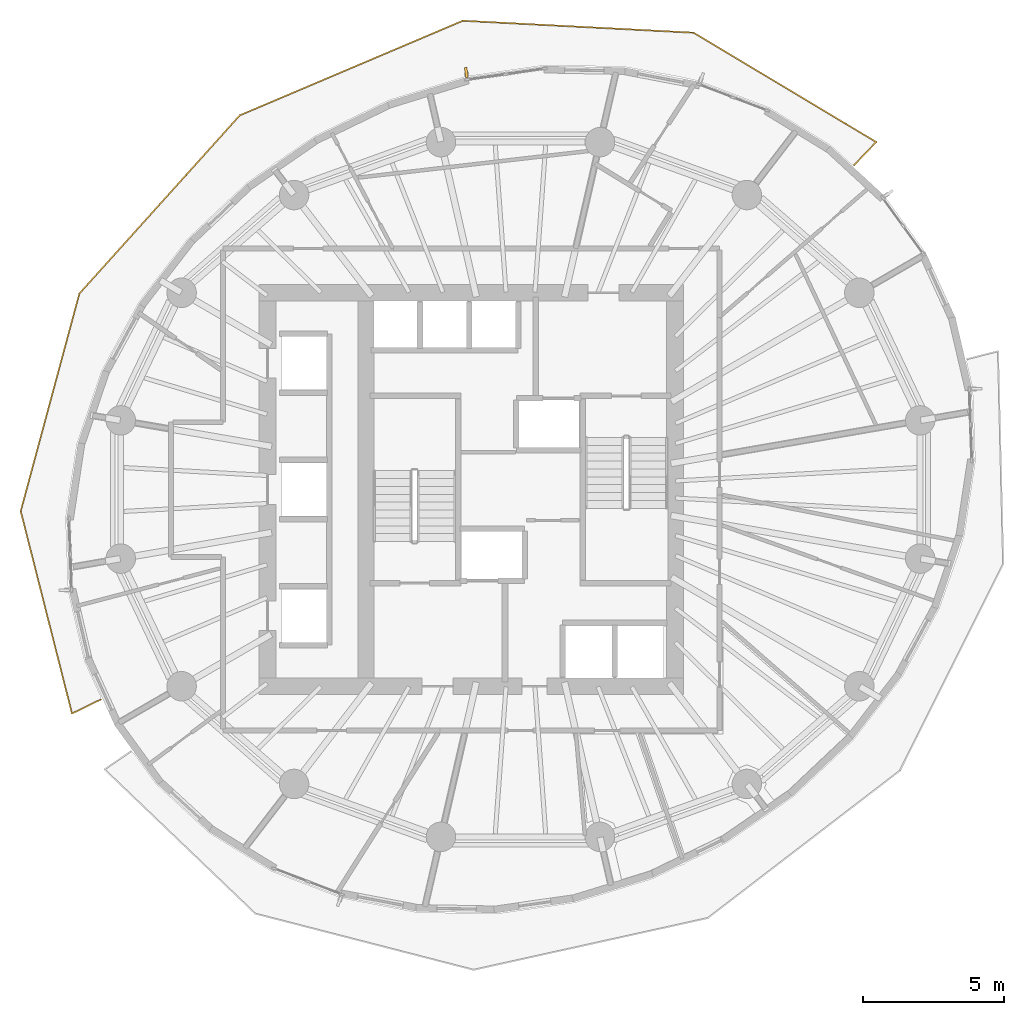
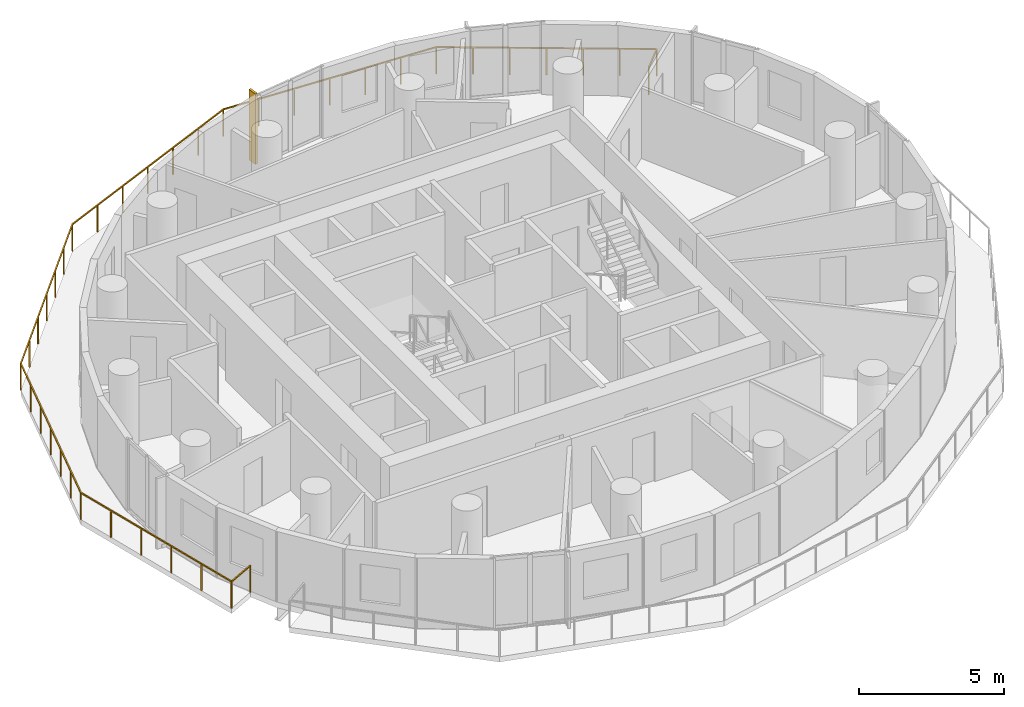
# One storey, part 13 of 14: 1 railing, 1 shading device.
"""IFC4 building model written with IfcOpenShell, lengths in metres."""

from ifc_helpers import new_model, si_unit, direction, frame, origin, origin_2d, place, context, subcontext, project, spatial, rectangle, extrude, material, layer, layer_set, type_object, element, save


model = new_model("IFC4")

# Units and contexts
model_context = context("Model", 3, precision=1e-05, world=origin(), true_north=direction((0.0, 1.0)))
body_context = subcontext(model_context, "Body", "Model", "MODEL_VIEW")
ifc_project = project(units=[si_unit("LENGTHUNIT", "METRE"), si_unit("AREAUNIT", "SQUARE_METRE"), si_unit("VOLUMEUNIT", "CUBIC_METRE"), si_unit("PLANEANGLEUNIT", "RADIAN"), si_unit("MASSUNIT", "GRAM", prefix="KILO")], contexts=[model_context])

# Site, building, storey
site_placement = place(None, origin())
site = spatial("IfcSite", under=ifc_project, at=site_placement, CompositionType="ELEMENT")
building_placement = place(site_placement, origin())
building = spatial("IfcBuilding", under=site, at=building_placement, Name="Veldorim Arch Residences", CompositionType="ELEMENT")
storey_placement = place(building_placement, frame((0.0, 0.0, 123.360107421875)))
storey = spatial("IfcBuildingStorey", under=building, at=storey_placement, Name="L36", CompositionType="ELEMENT", Elevation=123.360107421875)

# Railing
ifc_material_1 = material(Name="Aluminium", Category="aluminium")
railing_type = type_object("IfcRailingType", Name="Balcony & Terrace Laminated Glass Balustrade 1150", PredefinedType="BALUSTRADE", material=ifc_material_1)
railing_placement = place(storey_placement, frame((43.863037109375, 35.533447265625, 0.0)))
element("IfcRailing", 1, at=railing_placement, inside=storey, type_object=railing_type, Name="L36 crescent balcony safety balustrade A", PredefinedType="BALUSTRADE", context=body_context, shape_type="SweptSolid", body=[
    extrude(rectangle(XDim=0.048095703125, YDim=0.048095703125, at=origin_2d()), frame((0.0, 0.0, 1.1259765625), z_axis=(0.692306414723, 0.721603650305, 0.0), x_axis=(-0.721603650305, 0.692306414723, 0.0)), (0.0, 0.0, 1.0), 1.14990234375),
    extrude(rectangle(XDim=0.048095703125, YDim=0.048095703125, at=origin_2d()), frame((0.796142578125, 0.829833984375, 1.1259765625), z_axis=(-0.857944702199, 0.51374204419, 0.0), x_axis=(-0.51374204419, -0.857944702199, 0.0)), (0.0, 0.0, 1.0), 7.575927734375),
    extrude(rectangle(XDim=0.048095703125, YDim=0.048095703125, at=origin_2d()), frame((-5.70361328125, 4.721923828125, 1.1259765625), z_axis=(-0.9986577375, 0.051795012615, 0.0), x_axis=(-0.051795012615, -0.9986577375, 0.0)), (0.0, 0.0, 1.0), 8.220458984375),
    extrude(rectangle(XDim=0.048095703125, YDim=0.048095703125, at=origin_2d()), frame((-13.9130859375, 5.147705078125, 1.1259765625), z_axis=(-0.920610468256, -0.39048222205, 0.0), x_axis=(0.39048222205, -0.920610468256, 0.0)), (0.0, 0.0, 1.0), 8.62255859375),
    extrude(rectangle(XDim=0.048095703125, YDim=0.048095703125, at=origin_2d()), frame((-21.85107421875, 1.78076171875, 1.1259765625), z_axis=(-0.668980537933, -0.743279920263, 0.0), x_axis=(0.743279920263, -0.668980537933, 0.0)), (0.0, 0.0, 1.0), 8.533447265625),
    extrude(rectangle(XDim=0.048095703125, YDim=0.048095703125, at=origin_2d()), frame((-27.559814453125, -4.56201171875, 1.1259765625), z_axis=(-0.26021582334, -0.965550477854, 0.0), x_axis=(0.965550477854, -0.26021582334, 0.0)), (0.0, 0.0, 1.0), 8.02001953125),
    extrude(rectangle(XDim=0.048095703125, YDim=0.048095703125, at=origin_2d()), frame((-29.646728515625, -12.3056640625, 1.1259765625), z_axis=(0.245751019277, -0.969332985369, 0.0), x_axis=(0.969332985369, 0.245751019277, 0.0)), (0.0, 0.0, 1.0), 7.428955078125),
    extrude(rectangle(XDim=0.048095703125, YDim=0.048095703125, at=origin_2d()), frame((-27.821044921875, -19.5068359375, 1.1259765625), z_axis=(0.898590875034, 0.438787464846, 0.0), x_axis=(-0.438787464846, 0.898590875034, 0.0)), (0.0, 0.0, 1.0), 1.150146484375),
    extrude(rectangle(XDim=0.0419921875, YDim=0.0419921875, at=origin_2d()), origin(), (0.0, 0.0, 1.0), 1.101806640625),
    extrude(rectangle(XDim=0.0419921875, YDim=0.0419921875, at=origin_2d()), frame((0.796142578125, 0.829833984375, 0.0)), (0.0, 0.0, 1.0), 1.101806640625),
    extrude(rectangle(XDim=0.0419921875, YDim=0.0419921875, at=origin_2d()), frame((-0.287109375, 1.478515625, 0.0)), (0.0, 0.0, 1.0), 1.101806640625),
    extrude(rectangle(XDim=0.0419921875, YDim=0.0419921875, at=origin_2d()), frame((-1.370361328125, 2.127197265625, 0.0)), (0.0, 0.0, 1.0), 1.101806640625),
    extrude(rectangle(XDim=0.0419921875, YDim=0.0419921875, at=origin_2d()), frame((-2.45361328125, 2.77587890625, 0.0)), (0.0, 0.0, 1.0), 1.101806640625),
    extrude(rectangle(XDim=0.0419921875, YDim=0.0419921875, at=origin_2d()), frame((-3.537109375, 3.424560546875, 0.0)), (0.0, 0.0, 1.0), 1.101806640625),
    extrude(rectangle(XDim=0.0419921875, YDim=0.0419921875, at=origin_2d()), frame((-4.620361328125, 4.0732421875, 0.0)), (0.0, 0.0, 1.0), 1.101806640625),
    extrude(rectangle(XDim=0.0419921875, YDim=0.0419921875, at=origin_2d()), frame((-5.70361328125, 4.721923828125, 0.0)), (0.0, 0.0, 1.0), 1.101806640625),
    extrude(rectangle(XDim=0.0419921875, YDim=0.0419921875, at=origin_2d()), frame((-7.07177734375, 4.79296875, 0.0)), (0.0, 0.0, 1.0), 1.101806640625),
    extrude(rectangle(XDim=0.0419921875, YDim=0.0419921875, at=origin_2d()), frame((-8.440185546875, 4.86376953125, 0.0)), (0.0, 0.0, 1.0), 1.101806640625),
    extrude(rectangle(XDim=0.0419921875, YDim=0.0419921875, at=origin_2d()), frame((-9.808349609375, 4.934814453125, 0.0)), (0.0, 0.0, 1.0), 1.101806640625),
    extrude(rectangle(XDim=0.0419921875, YDim=0.0419921875, at=origin_2d()), frame((-11.176513671875, 5.005859375, 0.0)), (0.0, 0.0, 1.0), 1.101806640625),
    extrude(rectangle(XDim=0.0419921875, YDim=0.0419921875, at=origin_2d()), frame((-12.544921875, 5.07666015625, 0.0)), (0.0, 0.0, 1.0), 1.101806640625),
    extrude(rectangle(XDim=0.0419921875, YDim=0.0419921875, at=origin_2d()), frame((-13.9130859375, 5.147705078125, 0.0)), (0.0, 0.0, 1.0), 1.101806640625),
    extrude(rectangle(XDim=0.0419921875, YDim=0.0419921875, at=origin_2d()), frame((-15.236083984375, 4.58642578125, 0.0)), (0.0, 0.0, 1.0), 1.101806640625),
    extrude(rectangle(XDim=0.0419921875, YDim=0.0419921875, at=origin_2d()), frame((-16.55908203125, 4.025390625, 0.0)), (0.0, 0.0, 1.0), 1.101806640625),
    extrude(rectangle(XDim=0.0419921875, YDim=0.0419921875, at=origin_2d()), frame((-17.882080078125, 3.46435546875, 0.0)), (0.0, 0.0, 1.0), 1.101806640625),
    extrude(rectangle(XDim=0.0419921875, YDim=0.0419921875, at=origin_2d()), frame((-19.205078125, 2.903076171875, 0.0)), (0.0, 0.0, 1.0), 1.101806640625),
    extrude(rectangle(XDim=0.0419921875, YDim=0.0419921875, at=origin_2d()), frame((-20.528076171875, 2.341796875, 0.0)), (0.0, 0.0, 1.0), 1.101806640625),
    extrude(rectangle(XDim=0.0419921875, YDim=0.0419921875, at=origin_2d()), frame((-21.85107421875, 1.78076171875, 0.0)), (0.0, 0.0, 1.0), 1.101806640625),
    extrude(rectangle(XDim=0.0419921875, YDim=0.0419921875, at=origin_2d()), frame((-22.802490234375, 0.7236328125, 0.0)), (0.0, 0.0, 1.0), 1.101806640625),
    extrude(rectangle(XDim=0.0419921875, YDim=0.0419921875, at=origin_2d()), frame((-23.75390625, -0.33349609375, 0.0)), (0.0, 0.0, 1.0), 1.101806640625),
    extrude(rectangle(XDim=0.0419921875, YDim=0.0419921875, at=origin_2d()), frame((-24.70556640625, -1.390625, 0.0)), (0.0, 0.0, 1.0), 1.101806640625),
    extrude(rectangle(XDim=0.0419921875, YDim=0.0419921875, at=origin_2d()), frame((-25.656982421875, -2.44775390625, 0.0)), (0.0, 0.0, 1.0), 1.101806640625),
    extrude(rectangle(XDim=0.0419921875, YDim=0.0419921875, at=origin_2d()), frame((-26.6083984375, -3.5048828125, 0.0)), (0.0, 0.0, 1.0), 1.101806640625),
    extrude(rectangle(XDim=0.0419921875, YDim=0.0419921875, at=origin_2d()), frame((-27.559814453125, -4.56201171875, 0.0)), (0.0, 0.0, 1.0), 1.101806640625),
    extrude(rectangle(XDim=0.0419921875, YDim=0.0419921875, at=origin_2d()), frame((-27.90771484375, -5.8525390625, 0.0)), (0.0, 0.0, 1.0), 1.101806640625),
    extrude(rectangle(XDim=0.0419921875, YDim=0.0419921875, at=origin_2d()), frame((-28.25537109375, -7.143310546875, 0.0)), (0.0, 0.0, 1.0), 1.101806640625),
    extrude(rectangle(XDim=0.0419921875, YDim=0.0419921875, at=origin_2d()), frame((-28.603271484375, -8.433837890625, 0.0)), (0.0, 0.0, 1.0), 1.101806640625),
    extrude(rectangle(XDim=0.0419921875, YDim=0.0419921875, at=origin_2d()), frame((-28.951171875, -9.724365234375, 0.0)), (0.0, 0.0, 1.0), 1.101806640625),
    extrude(rectangle(XDim=0.0419921875, YDim=0.0419921875, at=origin_2d()), frame((-29.298828125, -11.01513671875, 0.0)), (0.0, 0.0, 1.0), 1.101806640625),
    extrude(rectangle(XDim=0.0419921875, YDim=0.0419921875, at=origin_2d()), frame((-29.646728515625, -12.3056640625, 0.0)), (0.0, 0.0, 1.0), 1.101806640625),
    extrude(rectangle(XDim=0.0419921875, YDim=0.0419921875, at=origin_2d()), frame((-29.281494140625, -13.745849609375, 0.0)), (0.0, 0.0, 1.0), 1.101806640625),
    extrude(rectangle(XDim=0.0419921875, YDim=0.0419921875, at=origin_2d()), frame((-28.91650390625, -15.18603515625, 0.0)), (0.0, 0.0, 1.0), 1.101806640625),
    extrude(rectangle(XDim=0.0419921875, YDim=0.0419921875, at=origin_2d()), frame((-28.55126953125, -16.62646484375, 0.0)), (0.0, 0.0, 1.0), 1.101806640625),
    extrude(rectangle(XDim=0.0419921875, YDim=0.0419921875, at=origin_2d()), frame((-28.186279296875, -18.066650390625, 0.0)), (0.0, 0.0, 1.0), 1.101806640625),
    extrude(rectangle(XDim=0.0419921875, YDim=0.0419921875, at=origin_2d()), frame((-27.821044921875, -19.5068359375, 0.0)), (0.0, 0.0, 1.0), 1.101806640625),
    extrude(rectangle(XDim=0.0419921875, YDim=0.0419921875, at=origin_2d()), frame((-26.78759765625, -19.002197265625, 0.0)), (0.0, 0.0, 1.0), 1.101806640625),
])

# Shading device
ifc_material_2 = material(Name="Terracotta Ceramic", Category="masonry")
ifc_layer = layer(ifc_material_2, 0.090087890625, Name="Vertical Extruded Terracotta Baguette Sun-Shading Fin")
ifc_layer_set = layer_set([ifc_layer], Name="Terracotta Ceramic")
shading_device_type = type_object("IfcShadingDeviceType", Name="Vertical Extruded Terracotta Baguette Sun-Shading Fin", PredefinedType="USERDEFINED", material=ifc_layer_set)
shading_device_placement = place(storey_placement, frame((30.07275390625, 38.84228515625, 0.0), z_axis=(0.0, 0.0, 1.0), x_axis=(0.989850775563, 0.142110668555, 0.0)))
element("IfcShadingDevice", 2, at=shading_device_placement, inside=storey, type_object=shading_device_type, Name="L36 vertical terracotta sun-shading fin 07", ObjectType="FIN", PredefinedType="USERDEFINED", context=body_context, shape_type="SweptSolid", body=[
    extrude(rectangle(XDim=0.090087890625, YDim=0.360107421875, at=origin_2d()), origin(), (0.0, 0.0, 1.0), 2.9599609375),
])

save(model, "model.ifc")
